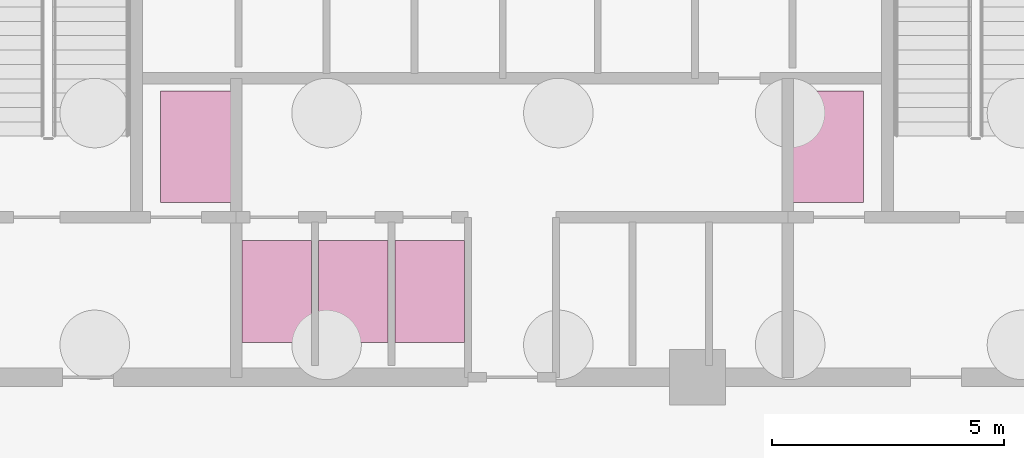
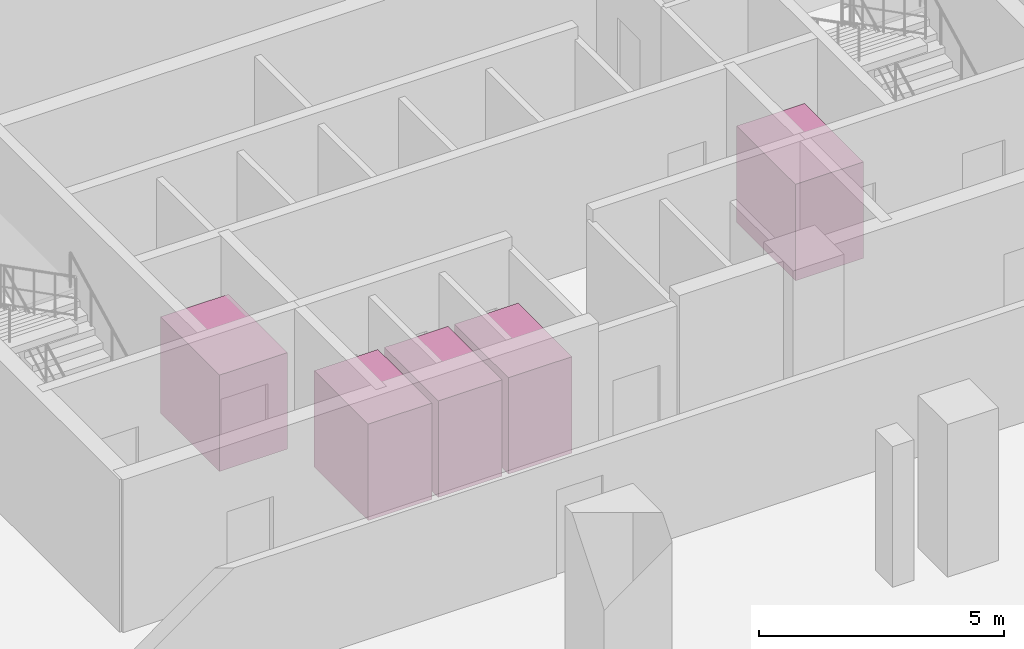
# One storey, part 6 of 6: 5 transport elements.
"""IFC4 building model written with IfcOpenShell, lengths in metres."""

from ifc_helpers import new_model, si_unit, direction, frame, origin, origin_2d, place, context, subcontext, project, spatial, rectangle, extrude, material, type_object, element, save


model = new_model("IFC4")

# Units and contexts
model_context = context("Model", 3, precision=1e-05, world=origin(), true_north=direction((0.0, 1.0)))
body_context = subcontext(model_context, "Body", "Model", "MODEL_VIEW")
ifc_project = project(units=[si_unit("LENGTHUNIT", "METRE"), si_unit("AREAUNIT", "SQUARE_METRE"), si_unit("VOLUMEUNIT", "CUBIC_METRE"), si_unit("PLANEANGLEUNIT", "RADIAN"), si_unit("MASSUNIT", "GRAM", prefix="KILO")], contexts=[model_context])

# Site, building, storey
site_placement = place(None, origin())
site = spatial("IfcSite", under=ifc_project, at=site_placement, CompositionType="ELEMENT")
building_placement = place(site_placement, origin())
building = spatial("IfcBuilding", under=site, at=building_placement, Name="Catumbela Crestline Tower", CompositionType="ELEMENT")
storey_placement = place(building_placement, frame((0.0, 0.0, -13.2)))
storey = spatial("IfcBuildingStorey", under=building, at=storey_placement, Name="B03", CompositionType="ELEMENT", Elevation=-13.2)

# Transport elements
ifc_material = material(Name="Stainless steel EN 1.4401", Category="steel")
transport_element_type_1 = type_object("IfcTransportElementType", Name="EL-FF", PredefinedType="ELEVATOR", material=ifc_material)
for number, where, z_axis, x_axis, name in (
    (1, (21.22, 35.775, 0.0), (0.0, 0.0, 1.0), (1.0, 0.0, 0.0), "Firefighting and Stretcher Lift FL-01"),
    (2, (34.78, 35.775, 0.0), (0.0, 0.0, 1.0), (1.0, 0.0, 0.0), "Firefighting and Stretcher Lift FL-02"),
):
    element("IfcTransportElement", number, at=place(storey_placement, frame(where, z_axis=z_axis, x_axis=x_axis)), inside=storey, type_object=transport_element_type_1, Name=name, PredefinedType="ELEVATOR", context=body_context, shape_type="SweptSolid", body=[
        extrude(rectangle(XDim=1.6, YDim=2.4, at=origin_2d()), origin(), (0.0, 0.0, 1.0), 2.4),
    ])
transport_element_type_2 = type_object("IfcTransportElementType", Name="EL-PX", PredefinedType="ELEVATOR", material=ifc_material)
for number, where, z_axis, x_axis, name in (
    (3, (22.925, 32.65, 0.0), (0.0, 0.0, 1.0), (1.0, 0.0, 0.0), "Low-Rise Passenger Lift PL-L1"),
    (4, (24.575, 32.65, 0.0), (0.0, 0.0, 1.0), (1.0, 0.0, 0.0), "Low-Rise Passenger Lift PL-L2"),
    (5, (26.225, 32.65, 0.0), (0.0, 0.0, 1.0), (1.0, 0.0, 0.0), "Low-Rise Passenger Lift PL-L3"),
):
    element("IfcTransportElement", number, at=place(storey_placement, frame(where, z_axis=z_axis, x_axis=x_axis)), inside=storey, type_object=transport_element_type_2, Name=name, PredefinedType="ELEVATOR", context=body_context, shape_type="SweptSolid", body=[
        extrude(rectangle(XDim=1.5, YDim=2.2, at=origin_2d()), origin(), (0.0, 0.0, 1.0), 2.4),
    ])

save(model, "model.ifc")
